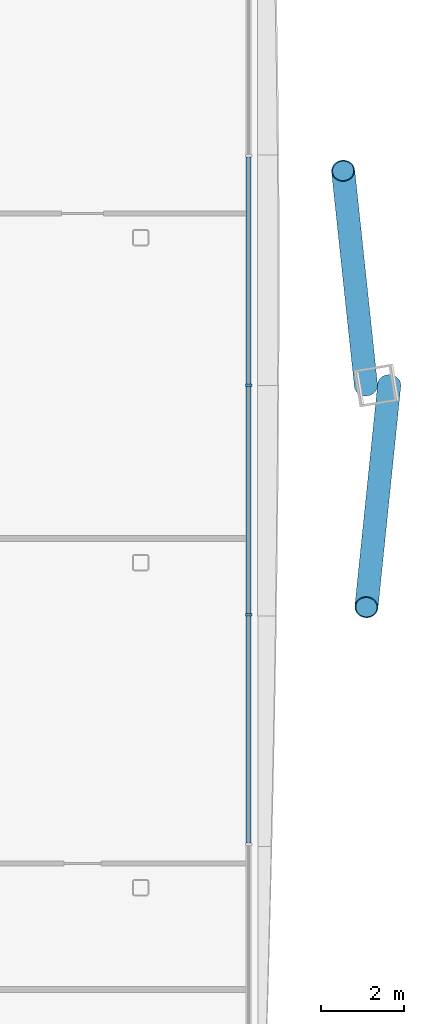
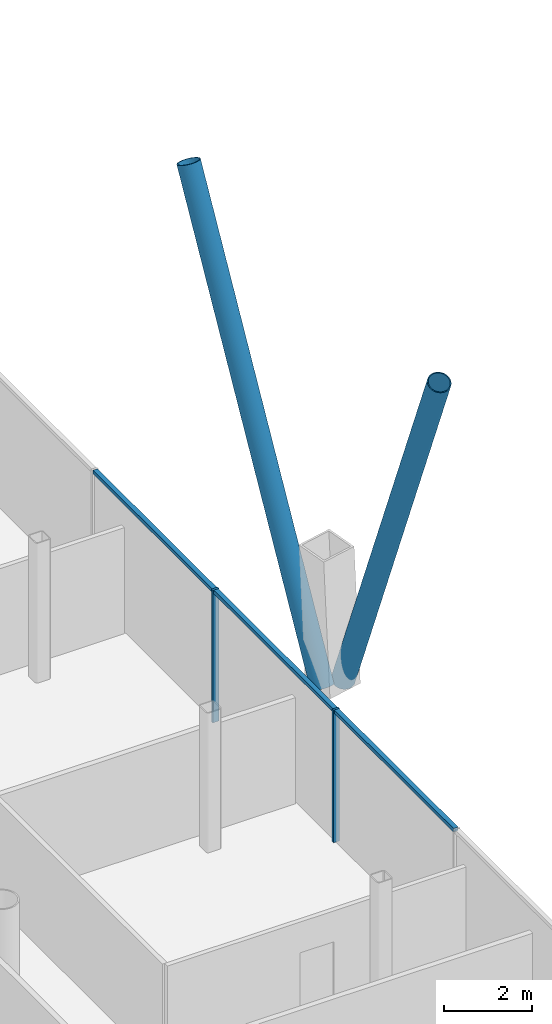
# One storey, part 7 of 23: 7 members, 1 element without a shape of its own.
"""IFC4 building model written with IfcOpenShell, lengths in metres."""

from ifc_helpers import new_model, si_unit, direction, frame, origin, origin_2d, place, context, subcontext, project, spatial, rectangle, hollow_circle, extrude, material, material_profile, profile_set, type_object, element, aggregate, save


model = new_model("IFC4")

# Units and contexts
model_context = context("Model", 3, precision=1e-05, world=origin(), true_north=direction((0.0, 1.0)))
body_context = subcontext(model_context, "Body", "Model", "MODEL_VIEW")
ifc_project = project(units=[si_unit("LENGTHUNIT", "METRE"), si_unit("AREAUNIT", "SQUARE_METRE"), si_unit("VOLUMEUNIT", "CUBIC_METRE"), si_unit("PLANEANGLEUNIT", "RADIAN"), si_unit("MASSUNIT", "GRAM", prefix="KILO")], contexts=[model_context])

# Site, building, storey
site_placement = place(None, origin())
site = spatial("IfcSite", under=ifc_project, at=site_placement, CompositionType="ELEMENT")
building_placement = place(site_placement, origin())
building = spatial("IfcBuilding", under=site, at=building_placement, Name="Tskaro Facet Tower", CompositionType="ELEMENT")
storey_placement = place(building_placement, frame((0.0, 0.0, 62.10009765625)))
storey = spatial("IfcBuildingStorey", under=building, at=storey_placement, Name="L14", CompositionType="ELEMENT", Elevation=62.10009765625)

# Members
ifc_material_1 = material(Name="Steel S355J2H", Category="steel")
ifc_material_profile_1 = material_profile(ifc_material_1, hollow_circle(Radius=0.279541015625, WallThickness=0.02490234375, at=origin_2d()), Name="CHS 559x25")
ifc_profile_set_1 = profile_set([ifc_material_profile_1], Name="Steel S355J2H")
member_type_1 = type_object("IfcMemberType", Name="CHS 559x25 brace", PredefinedType="BRACE", material=ifc_profile_set_1)
member_1_placement = place(storey_placement, frame((31.9384765625, -0.47802734375, 0.0), z_axis=(-0.042586261107, -0.414462012885, 0.909069661929), x_axis=(0.994762582076, -0.102212549625, 0.0)))
element("IfcMember", 1, at=member_1_placement, inside=storey, type_object=member_type_1, Name="CHS 559x25 XB04B/2", PredefinedType="BRACE", context=body_context, shape_type="SweptSolid", body=[
    extrude(hollow_circle(Radius=0.279541015625, WallThickness=0.02490234375, at=origin_2d()), origin(), (0.0, 0.0, 1.0), 12.870361328125),
])
member_2_placement = place(storey_placement, frame((31.37939453125, -0.47802734375, 0.0), z_axis=(-0.042811250871, 0.402814951381, 0.914279668232), x_axis=(-0.994399659751, -0.105684987993, 0.0)))
element("IfcMember", 2, at=member_2_placement, inside=storey, type_object=member_type_1, Name="CHS 559x25 XB05A/2", PredefinedType="BRACE", context=body_context, shape_type="SweptSolid", body=[
    extrude(hollow_circle(Radius=0.279541015625, WallThickness=0.02490234375, at=origin_2d()), origin(), (0.0, 0.0, 1.0), 12.796875),
])

# Curtain wall, members
ifc_material_2 = material(Name="Bronze anodised aluminium 6063-T6", Category="aluminium")
curtain_wall_type = type_object("IfcCurtainWallType", Name="Bronze office curtain wall (FW1)", PredefinedType="NOTDEFINED", material=ifc_material_2)
curtain_wall_placement = place(storey_placement, origin())
curtain_wall = element("IfcCurtainWall", 3, at=curtain_wall_placement, inside=storey, type_object=curtain_wall_type, Name="FW1 east facet L14", PredefinedType="NOTDEFINED")
ifc_material_profile_2 = material_profile(ifc_material_2, rectangle(XDim=0.06005859375, YDim=0.159912109375, at=origin_2d()), Name="Mullion 60x160")
ifc_profile_set_2 = profile_set([ifc_material_profile_2], Name="Bronze anodised aluminium 6063-T6")
member_type_2 = type_object("IfcMemberType", Name="FW1 bronze mullion 60x160", PredefinedType="MULLION", material=ifc_profile_set_2)
member_3_placement = place(storey_placement, frame((28.55908203125, -5.99169921875, 0.0), z_axis=(0.0, 0.0, 1.0), x_axis=(0.0, 1.0, 0.0)))
member_3 = element("IfcMember", 4, at=member_3_placement, type_object=member_type_2, Name="FW1 east mullion 3", PredefinedType="MULLION", context=body_context, shape_type="SweptSolid", body=[
    extrude(rectangle(XDim=0.06005859375, YDim=0.159912109375, at=origin_2d()), origin(), (0.0, 0.0, 1.0), 3.699951171875),
])
member_4_placement = place(storey_placement, frame((28.55908203125, -0.478515625, 0.0), z_axis=(0.0, 0.0, 1.0), x_axis=(0.0, 1.0, 0.0)))
member_4 = element("IfcMember", 5, at=member_4_placement, type_object=member_type_2, Name="FW1 east mullion 4", PredefinedType="MULLION", context=body_context, shape_type="SweptSolid", body=[
    extrude(rectangle(XDim=0.06005859375, YDim=0.159912109375, at=origin_2d()), origin(), (0.0, 0.0, 1.0), 3.699951171875),
])
ifc_material_profile_3 = material_profile(ifc_material_2, rectangle(XDim=0.1201171875, YDim=0.10009765625, at=origin_2d()), Name="Transom 120x100")
ifc_profile_set_3 = profile_set([ifc_material_profile_3], Name="Bronze anodised aluminium 6063-T6")
member_type_3 = type_object("IfcMemberType", Name="FW1 bronze transom 120x100", PredefinedType="USERDEFINED", material=ifc_profile_set_3)
member_5_placement = place(storey_placement, frame((28.55908203125, -11.474853515625, 3.64990234375), z_axis=(0.0, 1.0, 0.0), x_axis=(-1.0, 0.0, 0.0)))
member_5 = element("IfcMember", 6, at=member_5_placement, type_object=member_type_3, Name="FW1 east transom 3.1", ObjectType="TRANSOM", PredefinedType="USERDEFINED", context=body_context, shape_type="SweptSolid", body=[
    extrude(rectangle(XDim=0.1201171875, YDim=0.10009765625, at=origin_2d()), origin(), (0.0, 0.0, 1.0), 5.453125),
])
member_6_placement = place(storey_placement, frame((28.55908203125, -5.961669921875, 3.64990234375), z_axis=(0.0, 1.0, 0.0), x_axis=(-1.0, 0.0, 0.0)))
member_6 = element("IfcMember", 7, at=member_6_placement, type_object=member_type_3, Name="FW1 east transom 4.1", ObjectType="TRANSOM", PredefinedType="USERDEFINED", context=body_context, shape_type="SweptSolid", body=[
    extrude(rectangle(XDim=0.1201171875, YDim=0.10009765625, at=origin_2d()), origin(), (0.0, 0.0, 1.0), 5.453125),
])
member_7_placement = place(storey_placement, frame((28.55908203125, -0.448486328125, 3.64990234375), z_axis=(0.0, 1.0, 0.0), x_axis=(-1.0, 0.0, 0.0)))
member_7 = element("IfcMember", 8, at=member_7_placement, type_object=member_type_3, Name="FW1 east transom 5.1", ObjectType="TRANSOM", PredefinedType="USERDEFINED", context=body_context, shape_type="SweptSolid", body=[
    extrude(rectangle(XDim=0.1201171875, YDim=0.10009765625, at=origin_2d()), origin(), (0.0, 0.0, 1.0), 5.453125),
])
aggregate(curtain_wall, [member_3, member_4, member_5, member_6, member_7])

save(model, "model.ifc")
